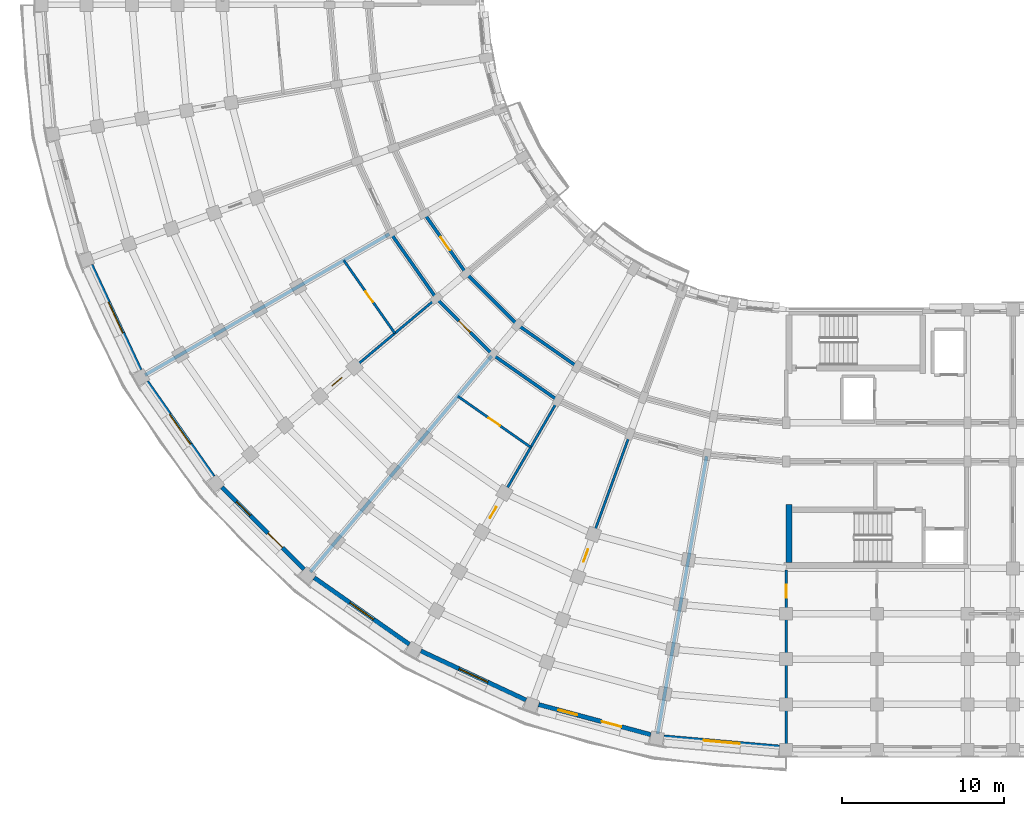
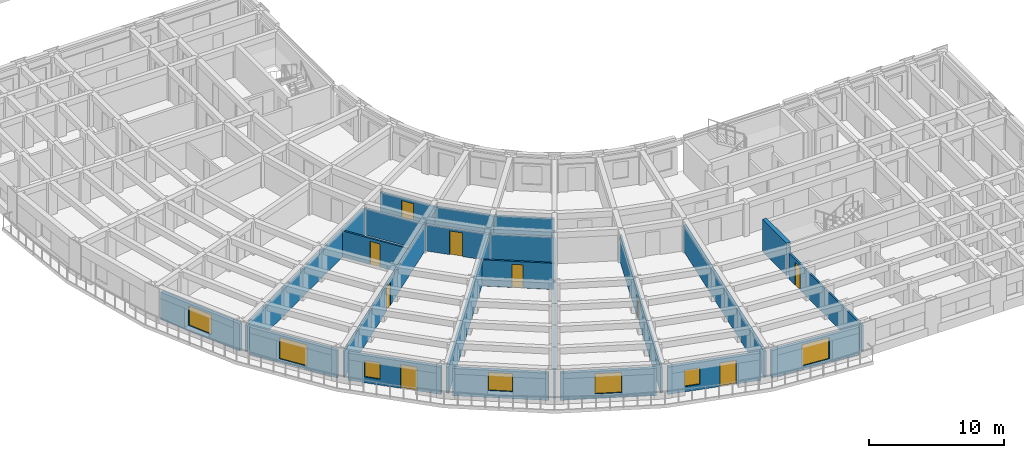
# One storey, part 15 of 54: 23 walls, 10 doors, 7 windows, 17 openings.
"""IFC4 building model written with IfcOpenShell, lengths in metres."""

import ifcopenshell
import ifcopenshell.guid

model = None  # the IFC model being written
_history = None  # IfcOwnerHistory: only IFC2X3 demands one
_inside = {}  # id of a spatial element -> (the spatial element, [elements in it])
_under = {}  # id of a project, library or spatial element -> (it, [spatial elements below it])
_declared = {}  # id of a project -> (the project, [libraries it declares])
_typed = {}  # id of a type object -> (the type object, [elements of that type])
_made_of = {}  # id of a material, layer set ... -> (it, [elements and type objects made of it])


def new_model(schema):
    """Start an empty IFC model of exactly this schema.

    Asked for "IFC4X3", IfcOpenShell would pick the latest addendum, in which some entities
    have other attributes; the version numbers below select the first issue.
    IFC2X3 requires an IfcOwnerHistory on every rooted entity: one is made here for all.
    """
    global model, _history
    if schema == "IFC4X3":
        model = ifcopenshell.file(schema_version=(4, 3, 0, 0))
    else:
        model = ifcopenshell.file(schema=schema)
    _inside.clear()
    _under.clear()
    _declared.clear()
    _typed.clear()
    _made_of.clear()
    _history = None
    if model.schema == "IFC2X3":
        org = make("IfcOrganization", Name="unknown")
        user = make(
            "IfcPersonAndOrganization",
            ThePerson=make("IfcPerson", FamilyName="unknown"),
            TheOrganization=org,
        )
        app = make(
            "IfcApplication",
            ApplicationDeveloper=org,
            Version="unknown",
            ApplicationFullName="unknown",
            ApplicationIdentifier="unknown",
        )
        _history = make(
            "IfcOwnerHistory",
            OwningUser=user,
            OwningApplication=app,
            ChangeAction="ADDED",
            CreationDate=0,
        )
    return model


def make(cls, **values):
    """One entity of the class cls with the attributes given. An attribute that is None is left unset."""
    return model.create_entity(
        cls, **{name: value for name, value in values.items() if value is not None}
    )


def rooted(cls, **values):
    """An entity with a GlobalId (a new one), such as an element, a storey or a relation."""
    return make(cls, GlobalId=ifcopenshell.guid.new(), OwnerHistory=_history, **values)


def si_unit(unit_type, name, prefix=None):
    """IfcSIUnit, for example si_unit("LENGTHUNIT", "METRE", prefix="MILLI")."""
    return make("IfcSIUnit", UnitType=unit_type, Prefix=prefix, Name=name)


def assignment(units):
    """IfcUnitAssignment: the units of a project."""
    return None if units is None else make("IfcUnitAssignment", Units=units)


def point(xyz):
    """IfcCartesianPoint."""
    return None if xyz is None else make("IfcCartesianPoint", Coordinates=xyz)


def direction(xyz):
    """IfcDirection."""
    return None if xyz is None else make("IfcDirection", DirectionRatios=xyz)


def frame(location, z_axis=None, x_axis=None):
    """IfcAxis2Placement3D, a coordinate frame: its origin and axes. An axis left out is left unset."""
    return make(
        "IfcAxis2Placement3D",
        Location=point(location),
        Axis=direction(z_axis),
        RefDirection=direction(x_axis),
    )


def frame_2d(location, x_axis=None):
    """IfcAxis2Placement2D, a coordinate frame in the plane: its origin and x axis."""
    return make(
        "IfcAxis2Placement2D", Location=point(location), RefDirection=direction(x_axis)
    )


def origin():
    """The frame at (0, 0, 0) with its axes left unset."""
    return frame((0.0, 0.0, 0.0))


def place(relative_to, where):
    """IfcLocalPlacement: puts the frame where relative to a parent placement (None: the world)."""
    return make(
        "IfcLocalPlacement", PlacementRelTo=relative_to, RelativePlacement=where
    )


def context(
    kind, dimensions, precision=None, world=None, true_north=None, identifier=None
):
    """IfcGeometricRepresentationContext, for example the 3D "Model" context."""
    return make(
        "IfcGeometricRepresentationContext",
        ContextIdentifier=identifier,
        ContextType=kind,
        CoordinateSpaceDimension=dimensions,
        Precision=precision,
        WorldCoordinateSystem=world,
        TrueNorth=true_north,
    )


def subcontext(parent, identifier, kind, view, scale=None):
    """IfcGeometricRepresentationSubContext, for example "Body" below "Model"."""
    return make(
        "IfcGeometricRepresentationSubContext",
        ContextIdentifier=identifier,
        ContextType=kind,
        ParentContext=parent,
        TargetScale=scale,
        TargetView=view,
    )


def project(units=None, contexts=None):
    """IfcProject with its units and contexts."""
    return rooted(
        "IfcProject",
        Name="project",
        RepresentationContexts=contexts,
        UnitsInContext=assignment(units),
    )


def spatial(cls, under=None, at=None, **own):
    """A site, building, storey or space (cls), placed at a placement, below another one or the project."""
    s = rooted(cls, ObjectPlacement=at, **own)
    if under is not None:
        _under.setdefault(under.id(), (under, []))[1].append(s)
    return s


def profile(cls, at=None, kind="AREA", **sizes):
    """A parametric profile (cls). Its sizes go by their IFC names, for example OverallWidth=200.0."""
    return make(cls, ProfileType=kind, Position=at, **sizes)


def rectangle(**sizes):
    """IfcRectangleProfileDef."""
    return profile("IfcRectangleProfileDef", **sizes)


def extrude(swept, where, along, depth):
    """IfcExtrudedAreaSolid: the profile swept, set in the frame where, extruded along a direction by depth."""
    return make(
        "IfcExtrudedAreaSolid",
        SweptArea=swept,
        Position=where,
        ExtrudedDirection=direction(along),
        Depth=depth,
    )


def shape(context_of_items, identifier, shape_type, items):
    """IfcShapeRepresentation: the items that make up one representation, for example the "Body"."""
    return make(
        "IfcShapeRepresentation",
        ContextOfItems=context_of_items,
        RepresentationIdentifier=identifier,
        RepresentationType=shape_type,
        Items=items,
    )


def material(Name=None, Category=None):
    """IfcMaterial."""
    return make("IfcMaterial", Name=Name, Category=Category)


def layer(
    of_material, thickness, ventilated=None, Name=None, Category=None, Priority=None
):
    """IfcMaterialLayer: one layer of a wall or slab, of a material (None: an air gap)."""
    return make(
        "IfcMaterialLayer",
        Material=of_material,
        LayerThickness=thickness,
        IsVentilated=ventilated,
        Name=Name,
        Category=Category,
        Priority=Priority,
    )


def layer_set(layers, Name=None):
    """IfcMaterialLayerSet."""
    return make("IfcMaterialLayerSet", MaterialLayers=layers, LayerSetName=Name)


def made_of(thing, what):
    """Note that an element or type object is made of a material, layer set ...; save() writes the relation."""
    if what is not None:
        _made_of.setdefault(what.id(), (what, []))[1].append(thing)
    return thing


def type_object(cls, material=None, **own):
    """A type object (cls), such as IfcWallType, which elements share."""
    return made_of(rooted(cls, **own), material)


def element(
    cls,
    number,
    at=None,
    inside=None,
    cuts=None,
    type_object=None,
    material=None,
    context=None,
    identifier="Body",
    shape_type=None,
    held_by="IfcProductDefinitionShape",
    body=None,
    shapes=None,
    **own,
):
    """One element of the class cls, such as IfcWall. Its Tag is "e" and its number.

    at: its placement. inside: the storey or other place that contains it. cuts: it is an
    opening in that element (IfcRelVoidsElement). A single representation is given by context,
    identifier, shape_type and body (its items); several are given by shapes. held_by: the class
    of the entity that holds the representations. save() writes the other relations.
    """
    e = rooted(cls, Tag="e%d" % number, ObjectPlacement=at, **own)
    if body is not None:
        shapes = [shape(context, identifier, shape_type, body)]
    if shapes is not None:
        e.Representation = make(held_by, Representations=shapes)
    if inside is not None:
        _inside.setdefault(inside.id(), (inside, []))[1].append(e)
    if cuts is not None:
        rooted(
            "IfcRelVoidsElement", RelatingBuildingElement=cuts, RelatedOpeningElement=e
        )
    if type_object is not None:
        _typed.setdefault(type_object.id(), (type_object, []))[1].append(e)
    return made_of(e, material)


def fill(opening, filler):
    """IfcRelFillsElement: the door or window that sits in an opening."""
    return rooted(
        "IfcRelFillsElement",
        RelatingOpeningElement=opening,
        RelatedBuildingElement=filler,
    )


def aggregate(whole, parts):
    """IfcRelAggregates: a whole, such as a stair, and the parts it consists of."""
    return rooted("IfcRelAggregates", RelatingObject=whole, RelatedObjects=parts)


def save(model, path):
    """Write the relations noted so far, then the file.

    IfcRelAggregates (storeys below a building ...), IfcRelContainedInSpatialStructure (elements
    in a storey), IfcRelDefinesByType, IfcRelAssociatesMaterial and IfcRelDeclares: one each for
    every whole, place, type object, material and project.
    """
    for whole, parts in _under.values():
        aggregate(whole, parts)
    for where, things in _inside.values():
        rooted(
            "IfcRelContainedInSpatialStructure",
            RelatedElements=things,
            RelatingStructure=where,
        )
    for kind, things in _typed.values():
        rooted("IfcRelDefinesByType", RelatedObjects=things, RelatingType=kind)
    for what, things in _made_of.values():
        rooted("IfcRelAssociatesMaterial", RelatedObjects=things, RelatingMaterial=what)
    for by, libraries in _declared.values():
        rooted("IfcRelDeclares", RelatingContext=by, RelatedDefinitions=libraries)
    model.write(path)


model = new_model("IFC4")

# Units and contexts
model_context = context("Model", 3, precision=1e-05, world=origin(), true_north=direction((0.0, 1.0)))
body_context = subcontext(model_context, "Body", "Model", "MODEL_VIEW")
ifc_project = project(units=[si_unit("LENGTHUNIT", "METRE"), si_unit("AREAUNIT", "SQUARE_METRE"), si_unit("VOLUMEUNIT", "CUBIC_METRE"), si_unit("PLANEANGLEUNIT", "RADIAN"), si_unit("MASSUNIT", "GRAM", prefix="KILO")], contexts=[model_context])

# Site, building, storey
site_placement = place(None, origin())
site = spatial("IfcSite", under=ifc_project, at=site_placement, CompositionType="ELEMENT")
building_placement = place(site_placement, origin())
building = spatial("IfcBuilding", under=site, at=building_placement, Name="Kiranvali Square Residences", CompositionType="ELEMENT")
storey_placement = place(building_placement, frame((0.0, 0.0, 15.0)))
storey = spatial("IfcBuildingStorey", under=building, at=storey_placement, Name="L04", CompositionType="ELEMENT", Elevation=15.0)

# Walls
ifc_material_1 = material(Name="Autoclaved aerated concrete blockwork masonry", Category="masonry")
ifc_layer_1 = layer(ifc_material_1, 0.199951171875)
ifc_layer_set_1 = layer_set([ifc_layer_1], Name="Autoclaved aerated concrete blockwork masonry")
wall_type_1 = type_object("IfcWallType", Name="WL-COR-200", PredefinedType="STANDARD", material=ifc_layer_set_1)
wall_1_placement = place(storey_placement, frame((35.300048828125, 25.8564453125, 0.0), z_axis=(0.0, 0.0, 1.0), x_axis=(-0.819155404658, 0.573571637217, 0.0)))
element("IfcWall", 1, at=wall_1_placement, inside=storey, type_object=wall_type_1, Name="L04 architectural wall WL-L04-C-CCI-3", PredefinedType="STANDARD", context=body_context, shape_type="SweptSolid", body=[
    extrude(rectangle(XDim=4.497314453125, YDim=0.199951171875, at=frame_2d((2.24853515625, 0.0))), origin(), (0.0, 0.0, 1.0), 2.3720703125),
])
wall_2_placement = place(storey_placement, frame((34.10009765625, 23.778076171875, 0.0), z_axis=(0.0, 0.0, 1.0), x_axis=(-0.819140911474, 0.573592335331, 0.0)))
element("IfcWall", 2, at=wall_2_placement, inside=storey, type_object=wall_type_1, Name="L04 architectural wall WL-L04-C-CCO-3", PredefinedType="STANDARD", context=body_context, shape_type="SweptSolid", body=[
    extrude(rectangle(XDim=4.915771484375, YDim=0.199951171875, at=frame_2d((2.4580078125, 0.0))), origin(), (0.0, 0.0, 1.0), 2.3720703125),
])
wall_3_placement = place(storey_placement, frame((31.615966796875, 28.43603515625, 0.0), z_axis=(0.0, 0.0, 1.0), x_axis=(-0.707106781187, 0.707106781187, 0.0)))
element("IfcWall", 3, at=wall_3_placement, inside=storey, type_object=wall_type_1, Name="L04 architectural wall WL-L04-C-CCI-4", PredefinedType="STANDARD", context=body_context, shape_type="SweptSolid", body=[
    extrude(rectangle(XDim=4.4970703125, YDim=0.199951171875, at=frame_2d((2.24853515625, 0.0))), origin(), (0.0, 0.0, 1.0), 2.3720703125),
])

# Wall, opening, door
wall_4_placement = place(storey_placement, frame((30.073486328125, 26.59765625, 0.0), z_axis=(0.0, 0.0, 1.0), x_axis=(-0.707106781187, 0.707106781187, 0.0)))
wall_4 = element("IfcWall", 4, at=wall_4_placement, inside=storey, type_object=wall_type_1, Name="L04 architectural wall WL-L04-C-CCO-4", PredefinedType="STANDARD", context=body_context, shape_type="SweptSolid", body=[
    extrude(rectangle(XDim=4.91552734375, YDim=0.199951171875, at=frame_2d((2.457763671875, 0.0))), origin(), (0.0, 0.0, 1.0), 2.3720703125),
])
opening_1_placement = place(wall_4_placement, frame((1.957763671875, 0.0, 0.0)))
opening_1 = element("IfcOpeningElement", 5, at=opening_1_placement, cuts=wall_4, Name="Opening FD-APT-60", PredefinedType="OPENING", context=body_context, shape_type="SweptSolid", body=[
    extrude(rectangle(XDim=1.0, YDim=2.14990234375, at=frame_2d((0.5, 1.074951171875))), frame((0.0, 0.10986328125, 0.0), z_axis=(0.0, -1.0, 0.0), x_axis=(1.0, 0.0, 0.0)), (0.0, 0.0, 1.0), 0.219970703125),
])
ifc_material_2 = material(Name="Fire-rated acoustic hardwood and mineral-core door assembly", Category="wood")
door_type_1 = type_object("IfcDoorType", Name="DR-APT-1000", OperationType="NOTDEFINED", PredefinedType="DOOR", material=ifc_material_2)
door_1_placement = place(opening_1_placement, frame((1.0, 0.0, 0.0), z_axis=(0.0, 0.0, 1.0), x_axis=(-1.0, 0.0, 0.0)))
door_1 = element("IfcDoor", 6, at=door_1_placement, inside=storey, type_object=door_type_1, Name="L04 door DR-L04-2002 (DR-APT-1000)", OperationType="SINGLE_SWING_RIGHT", OverallHeight=2.14990234375, OverallWidth=1.0, PredefinedType="DOOR", context=body_context, shape_type="SweptSolid", body=[
    extrude(rectangle(XDim=1.0, YDim=2.14990234375, at=frame_2d((0.5, 1.074951171875))), frame((0.0, 0.02490234375, 0.0), z_axis=(0.0, -1.0, 0.0), x_axis=(1.0, 0.0, 0.0)), (0.0, 0.0, 1.0), 0.050048828125),
])
fill(opening_1, door_1)

wall_5_placement = place(storey_placement, frame((28.43603515625, 31.615966796875, 0.0), z_axis=(0.0, 0.0, 1.0), x_axis=(-0.573571637217, 0.819155404658, 0.0)))
wall_5 = element("IfcWall", 7, at=wall_5_placement, inside=storey, type_object=wall_type_1, Name="L04 architectural wall WL-L04-C-CCI-5", PredefinedType="STANDARD", context=body_context, shape_type="SweptSolid", body=[
    extrude(rectangle(XDim=4.497314453125, YDim=0.199951171875, at=frame_2d((2.24853515625, 0.0))), origin(), (0.0, 0.0, 1.0), 2.3720703125),
])
opening_2_placement = place(wall_5_placement, frame((1.74853515625, 0.0, 0.0)))
opening_2 = element("IfcOpeningElement", 8, at=opening_2_placement, cuts=wall_5, Name="Opening FD-APT-60", PredefinedType="OPENING", context=body_context, shape_type="SweptSolid", body=[
    extrude(rectangle(XDim=1.0, YDim=2.14990234375, at=frame_2d((0.5, 1.074951171875))), frame((0.0, 0.10986328125, 0.0), z_axis=(0.0, -1.0, 0.0), x_axis=(1.0, 0.0, 0.0)), (0.0, 0.0, 1.0), 0.219970703125),
])
door_2_placement = place(opening_2_placement, frame((1.0, 0.0, 0.0), z_axis=(0.0, 0.0, 1.0), x_axis=(-1.0, 0.0, 0.0)))
door_2 = element("IfcDoor", 9, at=door_2_placement, inside=storey, type_object=door_type_1, Name="L04 door DR-L04-2008 (DR-APT-1000)", OperationType="SINGLE_SWING_RIGHT", OverallHeight=2.14990234375, OverallWidth=1.0, PredefinedType="DOOR", context=body_context, shape_type="SweptSolid", body=[
    extrude(rectangle(XDim=1.0, YDim=2.14990234375, at=frame_2d((0.5, 1.074951171875))), frame((0.0, 0.02490234375, 0.0), z_axis=(0.0, -1.0, 0.0), x_axis=(1.0, 0.0, 0.0)), (0.0, 0.0, 1.0), 0.050048828125),
])
fill(opening_2, door_2)

# Walls
wall_6_placement = place(storey_placement, frame((26.59765625, 30.073486328125, 0.0), z_axis=(0.0, 0.0, 1.0), x_axis=(-0.573592335331, 0.819140911474, 0.0)))
element("IfcWall", 10, at=wall_6_placement, inside=storey, type_object=wall_type_1, Name="L04 architectural wall WL-L04-C-CCO-5", PredefinedType="STANDARD", context=body_context, shape_type="SweptSolid", body=[
    extrude(rectangle(XDim=4.915771484375, YDim=0.199951171875, at=frame_2d((2.4580078125, 0.0))), origin(), (0.0, 0.0, 1.0), 2.3720703125),
])
ifc_layer_2 = layer(ifc_material_1, 0.219970703125)
ifc_layer_set_2 = layer_set([ifc_layer_2], Name="Autoclaved aerated concrete blockwork masonry")
wall_type_2 = type_object("IfcWallType", Name="WL-DEM-220", PredefinedType="STANDARD", material=ifc_layer_set_2)
for number, where, z_axis, x_axis, name in (
    (11, (43.28564453125, 20.329833984375, 0.0), (0.0, 0.0, 1.0), (-0.173646216546, -0.984808098809, 0.0), "L04 architectural wall WL-L04-C-RADO-1"),
    (12, (30.009033203125, 26.52099609375, 0.0), (0.0, 0.0, 1.0), (-0.642784757967, -0.766046835987, 0.0), "L04 architectural wall WL-L04-C-RADO-4"),
    (13, (23.69140625, 34.050048828125, 0.0), (0.0, 0.0, 1.0), (-0.866026648973, -0.499997843263, 0.0), "L04 architectural wall WL-L04-C-RADO-6"),
):
    element("IfcWall", number, at=place(storey_placement, frame(where, z_axis=z_axis, x_axis=x_axis)), inside=storey, type_object=wall_type_2, Name=name, PredefinedType="STANDARD", context=body_context, shape_type="SweptSolid", body=[
        extrude(rectangle(XDim=17.419921875, YDim=0.219970703125, at=frame_2d((8.7099609375, 0.0))), origin(), (0.0, 0.0, 1.0), 2.3720703125),
    ])

# Wall, opening, window
ifc_material_3 = material(Name="Breathable lime-rendered clay brick masonry", Category="masonry")
ifc_layer_3 = layer(ifc_material_3, 0.27490234375)
ifc_layer_set_3 = layer_set([ifc_layer_3], Name="Breathable lime-rendered clay brick masonry")
wall_type_3 = type_object("IfcWallType", Name="WL-EXT-275", PredefinedType="STANDARD", material=ifc_layer_set_3)
wall_7_placement = place(storey_placement, frame((47.785400390625, 2.36181640625, 0.0), z_axis=(0.0, 0.0, 1.0), x_axis=(-0.99619608453, 0.08713989423, 0.0)))
wall_7 = element("IfcWall", 14, at=wall_7_placement, inside=storey, type_object=wall_type_3, Name="L04 exterior wall C-L04-CRV-00", PredefinedType="STANDARD", context=body_context, shape_type="SweptSolid", body=[
    extrude(rectangle(XDim=7.1640625, YDim=0.27490234375, at=frame_2d((3.58203125, 0.0))), origin(), (0.0, 0.0, 1.0), 2.471923828125),
])
opening_3_placement = place(wall_7_placement, frame((2.45703125, 0.0, 0.322021484375)))
opening_3 = element("IfcOpeningElement", 15, at=opening_3_placement, cuts=wall_7, Name="Opening W-11", PredefinedType="OPENING", context=body_context, shape_type="SweptSolid", body=[
    extrude(rectangle(XDim=2.25, YDim=1.949951171875, at=frame_2d((1.125, 0.97509765625))), frame((0.0, 0.1474609375, 0.0), z_axis=(0.0, -1.0, 0.0), x_axis=(1.0, 0.0, 0.0)), (0.0, 0.0, 1.0), 0.294921875),
])
ifc_material_4 = material(Name="Solar-control low-e double glazing", Category="glass")
window_type_1 = type_object("IfcWindowType", Name="WIN-RES-2250x1950", PartitioningType="TRIPLE_PANEL_VERTICAL", PredefinedType="WINDOW", material=ifc_material_4)
window_1_placement = place(opening_3_placement, origin())
window_1 = element("IfcWindow", 16, at=window_1_placement, inside=storey, type_object=window_type_1, Name="L04 recessed window C-L04-CRV-00", OverallHeight=1.949951171875, OverallWidth=2.25, PartitioningType="TRIPLE_PANEL_VERTICAL", PredefinedType="WINDOW", context=body_context, shape_type="SweptSolid", body=[
    extrude(rectangle(XDim=2.25, YDim=1.949951171875, at=frame_2d((1.125, 0.97509765625))), frame((0.0, 0.030029296875, 0.0), z_axis=(0.0, -1.0, 0.0), x_axis=(1.0, 0.0, 0.0)), (0.0, 0.0, 1.0), 0.06005859375),
])
fill(opening_3, window_1)

# Wall, openings, door, window
wall_8_placement = place(storey_placement, frame((39.83203125, 3.130126953125, 0.0), z_axis=(0.0, 0.0, 1.0), x_axis=(-0.965923712619, 0.258826933296, 0.0)))
wall_8 = element("IfcWall", 17, at=wall_8_placement, inside=storey, type_object=wall_type_3, Name="L04 exterior wall C-L04-CRV-01", PredefinedType="STANDARD", context=body_context, shape_type="SweptSolid", body=[
    extrude(rectangle(XDim=7.1640625, YDim=0.27490234375, at=frame_2d((3.58203125, 0.0))), origin(), (0.0, 0.0, 1.0), 2.471923828125),
])
opening_4_placement = place(wall_8_placement, frame((4.6904296875, 0.0, 0.471923828125)))
opening_4 = element("IfcOpeningElement", 18, at=opening_4_placement, cuts=wall_8, Name="Opening W-06", PredefinedType="OPENING", context=body_context, shape_type="SweptSolid", body=[
    extrude(rectangle(XDim=1.199951171875, YDim=1.5, at=frame_2d((0.60009765625, 0.75))), frame((0.0, 0.1474609375, 0.0), z_axis=(0.0, -1.0, 0.0), x_axis=(1.0, 0.0, 0.0)), (0.0, 0.0, 1.0), 0.294921875),
])
opening_5_placement = place(wall_8_placement, frame((1.87744140625, 0.0, 0.0)))
opening_5 = element("IfcOpeningElement", 19, at=opening_5_placement, cuts=wall_8, Name="Opening ED-BAL-2", PredefinedType="OPENING", context=body_context, shape_type="SweptSolid", body=[
    extrude(rectangle(XDim=1.260009765625, YDim=2.14990234375, at=frame_2d((0.6298828125, 1.074951171875))), frame((0.0, 0.1474609375, 0.0), z_axis=(0.0, -1.0, 0.0), x_axis=(1.0, 0.0, 0.0)), (0.0, 0.0, 1.0), 0.294921875),
])
ifc_material_5 = material(Name="Anodised bronze aluminium framing", Category="aluminium")
door_type_2 = type_object("IfcDoorType", Name="DR-BAL-1260", OperationType="NOTDEFINED", PredefinedType="DOOR", material=ifc_material_5)
door_3_placement = place(opening_5_placement, origin())
door_3 = element("IfcDoor", 20, at=door_3_placement, inside=storey, type_object=door_type_2, Name="L04 balcony terrace door", OperationType="SINGLE_SWING_RIGHT", OverallHeight=2.14990234375, OverallWidth=1.260009765625, PredefinedType="DOOR", context=body_context, shape_type="SweptSolid", body=[
    extrude(rectangle(XDim=1.260009765625, YDim=2.14990234375, at=frame_2d((0.6298828125, 1.074951171875))), frame((0.0, 0.02490234375, 0.0), z_axis=(0.0, -1.0, 0.0), x_axis=(1.0, 0.0, 0.0)), (0.0, 0.0, 1.0), 0.050048828125),
])
fill(opening_5, door_3)
window_type_2 = type_object("IfcWindowType", Name="WIN-RES-1200x1500", PartitioningType="SINGLE_PANEL", PredefinedType="WINDOW", material=ifc_material_4)
window_2_placement = place(opening_4_placement, origin())
window_2 = element("IfcWindow", 21, at=window_2_placement, inside=storey, type_object=window_type_2, Name="L04 recessed window C-L04-CRV-01", OverallHeight=1.5, OverallWidth=1.199951171875, PartitioningType="SINGLE_PANEL", PredefinedType="WINDOW", context=body_context, shape_type="SweptSolid", body=[
    extrude(rectangle(XDim=1.199951171875, YDim=1.5, at=frame_2d((0.60009765625, 0.75))), frame((0.0, 0.030029296875, 0.0), z_axis=(0.0, -1.0, 0.0), x_axis=(1.0, 0.0, 0.0)), (0.0, 0.0, 1.0), 0.06005859375),
])
fill(opening_4, window_2)

# Wall, opening, window
wall_9_placement = place(storey_placement, frame((32.1328125, 5.267822265625, 0.0), z_axis=(0.0, 0.0, 1.0), x_axis=(-0.906300636296, 0.422633596215, 0.0)))
wall_9 = element("IfcWall", 22, at=wall_9_placement, inside=storey, type_object=wall_type_3, Name="L04 exterior wall C-L04-CRV-02", PredefinedType="STANDARD", context=body_context, shape_type="SweptSolid", body=[
    extrude(rectangle(XDim=7.164306640625, YDim=0.27490234375, at=frame_2d((3.58203125, 0.0))), origin(), (0.0, 0.0, 1.0), 2.471923828125),
])
opening_6_placement = place(wall_9_placement, frame((2.60693359375, 0.0, 0.422119140625)))
opening_6 = element("IfcOpeningElement", 23, at=opening_6_placement, cuts=wall_9, Name="Opening W-12", PredefinedType="OPENING", context=body_context, shape_type="SweptSolid", body=[
    extrude(rectangle(XDim=1.949951171875, YDim=1.85009765625, at=frame_2d((0.97509765625, 0.925048828125))), frame((0.0, 0.1474609375, 0.0), z_axis=(0.0, -1.0, 0.0), x_axis=(1.0, 0.0, 0.0)), (0.0, 0.0, 1.0), 0.294921875),
])
window_type_3 = type_object("IfcWindowType", Name="WIN-RES-1950x1850", PartitioningType="DOUBLE_PANEL_VERTICAL", PredefinedType="WINDOW", material=ifc_material_4)
window_3_placement = place(opening_6_placement, origin())
window_3 = element("IfcWindow", 24, at=window_3_placement, inside=storey, type_object=window_type_3, Name="L04 recessed window C-L04-CRV-02", OverallHeight=1.85009765625, OverallWidth=1.949951171875, PartitioningType="DOUBLE_PANEL_VERTICAL", PredefinedType="WINDOW", context=body_context, shape_type="SweptSolid", body=[
    extrude(rectangle(XDim=1.949951171875, YDim=1.85009765625, at=frame_2d((0.97509765625, 0.925048828125))), frame((0.0, 0.030029296875, 0.0), z_axis=(0.0, -1.0, 0.0), x_axis=(1.0, 0.0, 0.0)), (0.0, 0.0, 1.0), 0.06005859375),
])
fill(opening_6, window_3)

wall_10_placement = place(storey_placement, frame((24.921875, 8.710205078125, 0.0), z_axis=(0.0, 0.0, 1.0), x_axis=(-0.819161471697, 0.573562972382, 0.0)))
wall_10 = element("IfcWall", 25, at=wall_10_placement, inside=storey, type_object=wall_type_3, Name="L04 exterior wall C-L04-CRV-03", PredefinedType="STANDARD", context=body_context, shape_type="SweptSolid", body=[
    extrude(rectangle(XDim=7.164306640625, YDim=0.27490234375, at=frame_2d((3.58203125, 0.0))), origin(), (0.0, 0.0, 1.0), 2.471923828125),
])
opening_7_placement = place(wall_10_placement, frame((2.68212890625, 0.0, 0.6220703125)))
opening_7 = element("IfcOpeningElement", 26, at=opening_7_placement, cuts=wall_10, Name="Opening W-04", PredefinedType="OPENING", context=body_context, shape_type="SweptSolid", body=[
    extrude(rectangle(XDim=1.800048828125, YDim=1.64990234375, at=frame_2d((0.89990234375, 0.824951171875))), frame((0.0, 0.1474609375, 0.0), z_axis=(0.0, -1.0, 0.0), x_axis=(1.0, 0.0, 0.0)), (0.0, 0.0, 1.0), 0.294921875),
])
window_type_4 = type_object("IfcWindowType", Name="WIN-RES-1800x1650", PartitioningType="DOUBLE_PANEL_VERTICAL", PredefinedType="WINDOW", material=ifc_material_4)
window_4_placement = place(opening_7_placement, origin())
window_4 = element("IfcWindow", 27, at=window_4_placement, inside=storey, type_object=window_type_4, Name="L04 recessed window C-L04-CRV-03", OverallHeight=1.64990234375, OverallWidth=1.800048828125, PartitioningType="DOUBLE_PANEL_VERTICAL", PredefinedType="WINDOW", context=body_context, shape_type="SweptSolid", body=[
    extrude(rectangle(XDim=1.800048828125, YDim=1.64990234375, at=frame_2d((0.89990234375, 0.824951171875))), frame((0.0, 0.030029296875, 0.0), z_axis=(0.0, -1.0, 0.0), x_axis=(1.0, 0.0, 0.0)), (0.0, 0.0, 1.0), 0.06005859375),
])
fill(opening_7, window_4)

# Wall, openings, door, window
wall_11_placement = place(storey_placement, frame((18.418212890625, 13.352294921875, 0.0), z_axis=(0.0, 0.0, 1.0), x_axis=(-0.707106781187, 0.707106781187, 0.0)))
wall_11 = element("IfcWall", 28, at=wall_11_placement, inside=storey, type_object=wall_type_3, Name="L04 exterior wall C-L04-CRV-04", PredefinedType="STANDARD", context=body_context, shape_type="SweptSolid", body=[
    extrude(rectangle(XDim=7.164306640625, YDim=0.27490234375, at=frame_2d((3.58203125, 0.0))), origin(), (0.0, 0.0, 1.0), 2.471923828125),
])
opening_8_placement = place(wall_11_placement, frame((4.6904296875, 0.0, 0.52197265625)))
opening_8 = element("IfcOpeningElement", 29, at=opening_8_placement, cuts=wall_11, Name="Opening W-06", PredefinedType="OPENING", context=body_context, shape_type="SweptSolid", body=[
    extrude(rectangle(XDim=1.199951171875, YDim=1.5, at=frame_2d((0.60009765625, 0.75))), frame((0.0, 0.1474609375, 0.0), z_axis=(0.0, -1.0, 0.0), x_axis=(1.0, 0.0, 0.0)), (0.0, 0.0, 1.0), 0.294921875),
])
opening_9_placement = place(wall_11_placement, frame((1.87744140625, 0.0, 0.0)))
opening_9 = element("IfcOpeningElement", 30, at=opening_9_placement, cuts=wall_11, Name="Opening ED-BAL-2", PredefinedType="OPENING", context=body_context, shape_type="SweptSolid", body=[
    extrude(rectangle(XDim=1.260009765625, YDim=2.14990234375, at=frame_2d((0.6298828125, 1.074951171875))), frame((0.0, 0.1474609375, 0.0), z_axis=(0.0, -1.0, 0.0), x_axis=(1.0, 0.0, 0.0)), (0.0, 0.0, 1.0), 0.294921875),
])
door_4_placement = place(opening_9_placement, origin())
door_4 = element("IfcDoor", 31, at=door_4_placement, inside=storey, type_object=door_type_2, Name="L04 balcony terrace door", OperationType="SINGLE_SWING_LEFT", OverallHeight=2.14990234375, OverallWidth=1.260009765625, PredefinedType="DOOR", context=body_context, shape_type="SweptSolid", body=[
    extrude(rectangle(XDim=1.260009765625, YDim=2.14990234375, at=frame_2d((0.6298828125, 1.074951171875))), frame((0.0, 0.02490234375, 0.0), z_axis=(0.0, -1.0, 0.0), x_axis=(1.0, 0.0, 0.0)), (0.0, 0.0, 1.0), 0.050048828125),
])
fill(opening_9, door_4)
window_5_placement = place(opening_8_placement, origin())
window_5 = element("IfcWindow", 32, at=window_5_placement, inside=storey, type_object=window_type_2, Name="L04 recessed window C-L04-CRV-04", OverallHeight=1.5, OverallWidth=1.199951171875, PartitioningType="SINGLE_PANEL", PredefinedType="WINDOW", context=body_context, shape_type="SweptSolid", body=[
    extrude(rectangle(XDim=1.199951171875, YDim=1.5, at=frame_2d((0.60009765625, 0.75))), frame((0.0, 0.030029296875, 0.0), z_axis=(0.0, -1.0, 0.0), x_axis=(1.0, 0.0, 0.0)), (0.0, 0.0, 1.0), 0.06005859375),
])
fill(opening_8, window_5)

# Wall, opening, window
wall_12_placement = place(storey_placement, frame((12.8193359375, 19.05322265625, 0.0), z_axis=(0.0, 0.0, 1.0), x_axis=(-0.573562972382, 0.819161471697, 0.0)))
wall_12 = element("IfcWall", 33, at=wall_12_placement, inside=storey, type_object=wall_type_3, Name="L04 exterior wall C-L04-CRV-05", PredefinedType="STANDARD", context=body_context, shape_type="SweptSolid", body=[
    extrude(rectangle(XDim=7.164306640625, YDim=0.27490234375, at=frame_2d((3.58203125, 0.0))), origin(), (0.0, 0.0, 1.0), 2.471923828125),
])
opening_10_placement = place(wall_12_placement, frame((2.45703125, 0.0, 0.322021484375)))
opening_10 = element("IfcOpeningElement", 34, at=opening_10_placement, cuts=wall_12, Name="Opening W-11", PredefinedType="OPENING", context=body_context, shape_type="SweptSolid", body=[
    extrude(rectangle(XDim=2.25, YDim=1.949951171875, at=frame_2d((1.125, 0.97509765625))), frame((0.0, 0.1474609375, 0.0), z_axis=(0.0, -1.0, 0.0), x_axis=(1.0, 0.0, 0.0)), (0.0, 0.0, 1.0), 0.294921875),
])
window_6_placement = place(opening_10_placement, origin())
window_6 = element("IfcWindow", 35, at=window_6_placement, inside=storey, type_object=window_type_1, Name="L04 recessed window C-L04-CRV-05", OverallHeight=1.949951171875, OverallWidth=2.25, PartitioningType="TRIPLE_PANEL_VERTICAL", PredefinedType="WINDOW", context=body_context, shape_type="SweptSolid", body=[
    extrude(rectangle(XDim=2.25, YDim=1.949951171875, at=frame_2d((1.125, 0.97509765625))), frame((0.0, 0.030029296875, 0.0), z_axis=(0.0, -1.0, 0.0), x_axis=(1.0, 0.0, 0.0)), (0.0, 0.0, 1.0), 0.06005859375),
])
fill(opening_10, window_6)

wall_13_placement = place(storey_placement, frame((8.295654296875, 25.639892578125, 0.0), z_axis=(0.0, 0.0, 1.0), x_axis=(-0.422633596215, 0.906300636296, 0.0)))
wall_13 = element("IfcWall", 36, at=wall_13_placement, inside=storey, type_object=wall_type_3, Name="L04 exterior wall C-L04-CRV-06", PredefinedType="STANDARD", context=body_context, shape_type="SweptSolid", body=[
    extrude(rectangle(XDim=7.164306640625, YDim=0.27490234375, at=frame_2d((3.58203125, 0.0))), origin(), (0.0, 0.0, 1.0), 2.471923828125),
])
opening_11_placement = place(wall_13_placement, frame((2.531982421875, 0.0, 0.471923828125)))
opening_11 = element("IfcOpeningElement", 37, at=opening_11_placement, cuts=wall_13, Name="Opening W-03", PredefinedType="OPENING", context=body_context, shape_type="SweptSolid", body=[
    extrude(rectangle(XDim=2.10009765625, YDim=1.800048828125, at=frame_2d((1.050048828125, 0.89990234375))), frame((0.0, 0.1474609375, 0.0), z_axis=(0.0, -1.0, 0.0), x_axis=(1.0, 0.0, 0.0)), (0.0, 0.0, 1.0), 0.294921875),
])
window_type_5 = type_object("IfcWindowType", Name="WIN-RES-2100x1800", PartitioningType="TRIPLE_PANEL_VERTICAL", PredefinedType="WINDOW", material=ifc_material_4)
window_7_placement = place(opening_11_placement, origin())
window_7 = element("IfcWindow", 38, at=window_7_placement, inside=storey, type_object=window_type_5, Name="L04 recessed window C-L04-CRV-06", OverallHeight=1.800048828125, OverallWidth=2.10009765625, PartitioningType="TRIPLE_PANEL_VERTICAL", PredefinedType="WINDOW", context=body_context, shape_type="SweptSolid", body=[
    extrude(rectangle(XDim=2.10009765625, YDim=1.800048828125, at=frame_2d((1.050048828125, 0.89990234375))), frame((0.0, 0.030029296875, 0.0), z_axis=(0.0, -1.0, 0.0), x_axis=(1.0, 0.0, 0.0)), (0.0, 0.0, 1.0), 0.06005859375),
])
fill(opening_11, window_7)

# Wall, opening, door
ifc_material_6 = material(Name="Acoustic gypsum board drylined partition", Category="gypsum")
ifc_layer_4 = layer(ifc_material_6, 0.14990234375)
ifc_layer_set_4 = layer_set([ifc_layer_4], Name="Acoustic gypsum board drylined partition")
wall_type_4 = type_object("IfcWallType", Name="WL-PRT-150", PredefinedType="PARTITIONING", material=ifc_layer_set_4)
wall_14_placement = place(storey_placement, frame((48.199951171875, 13.300048828125, 0.0), z_axis=(0.0, 0.0, 1.0), x_axis=(0.0, -1.0, 0.0)))
wall_14 = element("IfcWall", 39, at=wall_14_placement, inside=storey, type_object=wall_type_4, Name="L04 architectural wall WL-L04-C-RADO-0", PredefinedType="PARTITIONING", context=body_context, shape_type="SweptSolid", body=[
    extrude(rectangle(XDim=10.820068359375, YDim=0.14990234375, at=frame_2d((5.41015625, 0.0))), origin(), (0.0, 0.0, 1.0), 2.3720703125),
])
opening_12_placement = place(wall_14_placement, frame((0.8994140625, 0.0, 0.0)))
opening_12 = element("IfcOpeningElement", 40, at=opening_12_placement, cuts=wall_14, Name="Opening ID-WET", PredefinedType="OPENING", context=body_context, shape_type="SweptSolid", body=[
    extrude(rectangle(XDim=0.800048828125, YDim=2.10009765625, at=frame_2d((0.39990234375, 1.050048828125))), frame((0.0, 0.0849609375, 0.0), z_axis=(0.0, -1.0, 0.0), x_axis=(1.0, 0.0, 0.0)), (0.0, 0.0, 1.0), 0.169921875),
])
ifc_material_7 = material(Name="Solid seasoned teak hardwood joinery", Category="wood")
door_type_3 = type_object("IfcDoorType", Name="DR-WET-800", OperationType="NOTDEFINED", PredefinedType="DOOR", material=ifc_material_7)
door_5_placement = place(opening_12_placement, origin())
door_5 = element("IfcDoor", 41, at=door_5_placement, inside=storey, type_object=door_type_3, Name="L04 door DR-L04-1993 (DR-WET-800)", OperationType="SINGLE_SWING_LEFT", OverallHeight=2.10009765625, OverallWidth=0.800048828125, PredefinedType="DOOR", context=body_context, shape_type="SweptSolid", body=[
    extrude(rectangle(XDim=0.800048828125, YDim=2.10009765625, at=frame_2d((0.39990234375, 1.050048828125))), frame((0.0, 0.02490234375, 0.0), z_axis=(0.0, -1.0, 0.0), x_axis=(1.0, 0.0, 0.0)), (0.0, 0.0, 1.0), 0.050048828125),
])
fill(opening_12, door_5)

wall_15_placement = place(storey_placement, frame((38.520751953125, 21.606689453125, 0.0), z_axis=(0.0, 0.0, 1.0), x_axis=(-0.342022120477, -0.939691901159, 0.0)))
wall_15 = element("IfcWall", 42, at=wall_15_placement, inside=storey, type_object=wall_type_4, Name="L04 architectural wall WL-L04-C-RADO-2", PredefinedType="PARTITIONING", context=body_context, shape_type="SweptSolid", body=[
    extrude(rectangle(XDim=17.419921875, YDim=0.14990234375, at=frame_2d((8.7099609375, 0.0))), origin(), (0.0, 0.0, 1.0), 2.3720703125),
])
opening_13_placement = place(wall_15_placement, frame((7.5, 0.0, 0.0)))
opening_13 = element("IfcOpeningElement", 43, at=opening_13_placement, cuts=wall_15, Name="Opening ID-WET", PredefinedType="OPENING", context=body_context, shape_type="SweptSolid", body=[
    extrude(rectangle(XDim=0.800048828125, YDim=2.10009765625, at=frame_2d((0.39990234375, 1.050048828125))), frame((0.0, 0.0849609375, 0.0), z_axis=(0.0, -1.0, 0.0), x_axis=(1.0, 0.0, 0.0)), (0.0, 0.0, 1.0), 0.169921875),
])
door_6_placement = place(opening_13_placement, frame((0.800048828125, 0.0, 0.0), z_axis=(0.0, 0.0, 1.0), x_axis=(-1.0, 0.0, 0.0)))
door_6 = element("IfcDoor", 44, at=door_6_placement, inside=storey, type_object=door_type_3, Name="L04 door DR-L04-1994 (DR-WET-800)", OperationType="SINGLE_SWING_RIGHT", OverallHeight=2.10009765625, OverallWidth=0.800048828125, PredefinedType="DOOR", context=body_context, shape_type="SweptSolid", body=[
    extrude(rectangle(XDim=0.800048828125, YDim=2.10009765625, at=frame_2d((0.39990234375, 1.050048828125))), frame((0.0, 0.02490234375, 0.0), z_axis=(0.0, -1.0, 0.0), x_axis=(1.0, 0.0, 0.0)), (0.0, 0.0, 1.0), 0.050048828125),
])
fill(opening_13, door_6)

wall_16_placement = place(storey_placement, frame((34.050048828125, 23.69140625, 0.0), z_axis=(0.0, 0.0, 1.0), x_axis=(-0.499997843263, -0.866026648973, 0.0)))
wall_16 = element("IfcWall", 45, at=wall_16_placement, inside=storey, type_object=wall_type_4, Name="L04 architectural wall WL-L04-C-RADO-3", PredefinedType="PARTITIONING", context=body_context, shape_type="SweptSolid", body=[
    extrude(rectangle(XDim=17.419921875, YDim=0.14990234375, at=frame_2d((8.7099609375, 0.0))), origin(), (0.0, 0.0, 1.0), 2.3720703125),
])
opening_14_placement = place(wall_16_placement, frame((7.5, 0.0, 0.0)))
opening_14 = element("IfcOpeningElement", 46, at=opening_14_placement, cuts=wall_16, Name="Opening ID-WET", PredefinedType="OPENING", context=body_context, shape_type="SweptSolid", body=[
    extrude(rectangle(XDim=0.800048828125, YDim=2.10009765625, at=frame_2d((0.39990234375, 1.050048828125))), frame((0.0, 0.0849609375, 0.0), z_axis=(0.0, -1.0, 0.0), x_axis=(1.0, 0.0, 0.0)), (0.0, 0.0, 1.0), 0.169921875),
])
door_7_placement = place(opening_14_placement, origin())
door_7 = element("IfcDoor", 47, at=door_7_placement, inside=storey, type_object=door_type_3, Name="L04 door DR-L04-1995 (DR-WET-800)", OperationType="SINGLE_SWING_LEFT", OverallHeight=2.10009765625, OverallWidth=0.800048828125, PredefinedType="DOOR", context=body_context, shape_type="SweptSolid", body=[
    extrude(rectangle(XDim=0.800048828125, YDim=2.10009765625, at=frame_2d((0.39990234375, 1.050048828125))), frame((0.0, 0.02490234375, 0.0), z_axis=(0.0, -1.0, 0.0), x_axis=(1.0, 0.0, 0.0)), (0.0, 0.0, 1.0), 0.050048828125),
])
fill(opening_14, door_7)

wall_17_placement = place(storey_placement, frame((26.52099609375, 30.009033203125, 0.0), z_axis=(0.0, 0.0, 1.0), x_axis=(-0.766046835987, -0.642784757967, 0.0)))
wall_17 = element("IfcWall", 48, at=wall_17_placement, inside=storey, type_object=wall_type_4, Name="L04 architectural wall WL-L04-C-RADO-5", PredefinedType="PARTITIONING", context=body_context, shape_type="SweptSolid", body=[
    extrude(rectangle(XDim=17.419921875, YDim=0.14990234375, at=frame_2d((8.7099609375, 0.0))), origin(), (0.0, 0.0, 1.0), 2.3720703125),
])
opening_15_placement = place(wall_17_placement, frame((7.5, 0.0, 0.0)))
opening_15 = element("IfcOpeningElement", 49, at=opening_15_placement, cuts=wall_17, Name="Opening ID-WET", PredefinedType="OPENING", context=body_context, shape_type="SweptSolid", body=[
    extrude(rectangle(XDim=0.800048828125, YDim=2.10009765625, at=frame_2d((0.39990234375, 1.050048828125))), frame((0.0, 0.0849609375, 0.0), z_axis=(0.0, -1.0, 0.0), x_axis=(1.0, 0.0, 0.0)), (0.0, 0.0, 1.0), 0.169921875),
])
door_8_placement = place(opening_15_placement, frame((0.800048828125, 0.0, 0.0), z_axis=(0.0, 0.0, 1.0), x_axis=(-1.0, 0.0, 0.0)))
door_8 = element("IfcDoor", 50, at=door_8_placement, inside=storey, type_object=door_type_3, Name="L04 door DR-L04-1996 (DR-WET-800)", OperationType="SINGLE_SWING_RIGHT", OverallHeight=2.10009765625, OverallWidth=0.800048828125, PredefinedType="DOOR", context=body_context, shape_type="SweptSolid", body=[
    extrude(rectangle(XDim=0.800048828125, YDim=2.10009765625, at=frame_2d((0.39990234375, 1.050048828125))), frame((0.0, 0.02490234375, 0.0), z_axis=(0.0, -1.0, 0.0), x_axis=(1.0, 0.0, 0.0)), (0.0, 0.0, 1.0), 0.050048828125),
])
fill(opening_15, door_8)

# Wall
ifc_material_8 = material(Name="Concrete M50 (50 MPa)", Category="concrete")
ifc_layer_5 = layer(ifc_material_8, 0.35009765625)
ifc_layer_set_5 = layer_set([ifc_layer_5], Name="Concrete M50 (50 MPa)")
wall_type_5 = type_object("IfcWallType", Name="WL-SHR-350", PredefinedType="SHEAR", material=ifc_layer_set_5)
wall_18_placement = place(storey_placement, frame((48.375, 17.35009765625, 0.0), z_axis=(0.0, 0.0, 1.0), x_axis=(0.0, -1.0, 0.0)))
element("IfcWall", 51, at=wall_18_placement, inside=storey, type_object=wall_type_5, Name="Block C core shear wall SW-C1-FAR-L04", PredefinedType="SHEAR", context=body_context, shape_type="SweptSolid", body=[
    extrude(rectangle(XDim=3.60009765625, YDim=0.35009765625, at=frame_2d((1.800048828125, 0.0))), origin(), (0.0, 0.0, 1.0), 2.929931640625),
])

# Wall, opening, door
ifc_layer_6 = layer(ifc_material_1, 0.14990234375)
ifc_layer_set_6 = layer_set([ifc_layer_6], Name="Autoclaved aerated concrete blockwork masonry")
wall_type_6 = type_object("IfcWallType", Name="WL-WET-150", PredefinedType="PLUMBINGWALL", material=ifc_layer_set_6)
wall_19_placement = place(storey_placement, frame((32.425048828125, 20.876953125, 0.0), z_axis=(0.0, 0.0, 1.0), x_axis=(-0.819156831143, 0.573569599955, 0.0)))
wall_19 = element("IfcWall", 52, at=wall_19_placement, inside=storey, type_object=wall_type_6, Name="L04 architectural wall WL-L04-C-CWET-3", PredefinedType="PLUMBINGWALL", context=body_context, shape_type="SweptSolid", body=[
    extrude(rectangle(XDim=5.49951171875, YDim=0.14990234375, at=frame_2d((2.749755859375, 0.0))), origin(), (0.0, 0.0, 1.0), 2.3720703125),
])
opening_16_placement = place(wall_19_placement, frame((2.329833984375, 0.0, 0.0)))
opening_16 = element("IfcOpeningElement", 53, at=opening_16_placement, cuts=wall_19, Name="Opening ID-WET2", PredefinedType="OPENING", context=body_context, shape_type="SweptSolid", body=[
    extrude(rectangle(XDim=0.840087890625, YDim=2.10009765625, at=frame_2d((0.419921875, 1.050048828125))), frame((0.0, 0.0849609375, 0.0), z_axis=(0.0, -1.0, 0.0), x_axis=(1.0, 0.0, 0.0)), (0.0, 0.0, 1.0), 0.169921875),
])
door_type_4 = type_object("IfcDoorType", Name="DR-WET-840", OperationType="NOTDEFINED", PredefinedType="DOOR", material=ifc_material_7)
door_9_placement = place(opening_16_placement, origin())
door_9 = element("IfcDoor", 54, at=door_9_placement, inside=storey, type_object=door_type_4, Name="L04 door DR-L04-2001 (DR-WET-840)", OperationType="SINGLE_SWING_LEFT", OverallHeight=2.10009765625, OverallWidth=0.840087890625, PredefinedType="DOOR", context=body_context, shape_type="SweptSolid", body=[
    extrude(rectangle(XDim=0.840087890625, YDim=2.10009765625, at=frame_2d((0.419921875, 1.050048828125))), frame((0.0, 0.02490234375, 0.0), z_axis=(0.0, -1.0, 0.0), x_axis=(1.0, 0.0, 0.0)), (0.0, 0.0, 1.0), 0.050048828125),
])
fill(opening_16, door_9)

wall_20_placement = place(storey_placement, frame((24.03125, 27.920166015625, 0.0), z_axis=(0.0, 0.0, 1.0), x_axis=(-0.573569599955, 0.819156831143, 0.0)))
wall_20 = element("IfcWall", 55, at=wall_20_placement, inside=storey, type_object=wall_type_6, Name="L04 architectural wall WL-L04-C-CWET-5", PredefinedType="PLUMBINGWALL", context=body_context, shape_type="SweptSolid", body=[
    extrude(rectangle(XDim=5.49951171875, YDim=0.14990234375, at=frame_2d((2.749755859375, 0.0))), origin(), (0.0, 0.0, 1.0), 2.3720703125),
])
opening_17_placement = place(wall_20_placement, frame((2.349853515625, 0.0, 0.0)))
opening_17 = element("IfcOpeningElement", 56, at=opening_17_placement, cuts=wall_20, Name="Opening ID-WET", PredefinedType="OPENING", context=body_context, shape_type="SweptSolid", body=[
    extrude(rectangle(XDim=0.800048828125, YDim=2.10009765625, at=frame_2d((0.39990234375, 1.050048828125))), frame((0.0, 0.0849609375, 0.0), z_axis=(0.0, -1.0, 0.0), x_axis=(1.0, 0.0, 0.0)), (0.0, 0.0, 1.0), 0.169921875),
])
door_10_placement = place(opening_17_placement, origin())
door_10 = element("IfcDoor", 57, at=door_10_placement, inside=storey, type_object=door_type_3, Name="L04 door DR-L04-2003 (DR-WET-800)", OperationType="SINGLE_SWING_LEFT", OverallHeight=2.10009765625, OverallWidth=0.800048828125, PredefinedType="DOOR", context=body_context, shape_type="SweptSolid", body=[
    extrude(rectangle(XDim=0.800048828125, YDim=2.10009765625, at=frame_2d((0.39990234375, 1.050048828125))), frame((0.0, 0.02490234375, 0.0), z_axis=(0.0, -1.0, 0.0), x_axis=(1.0, 0.0, 0.0)), (0.0, 0.0, 1.0), 0.050048828125),
])
fill(opening_17, door_10)

save(model, "model.ifc")
